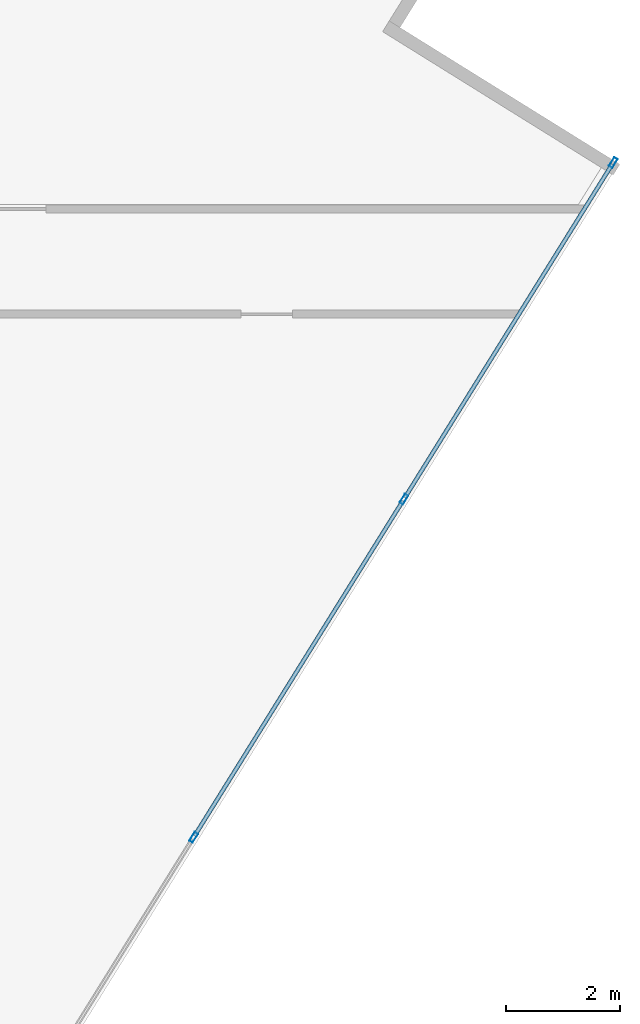
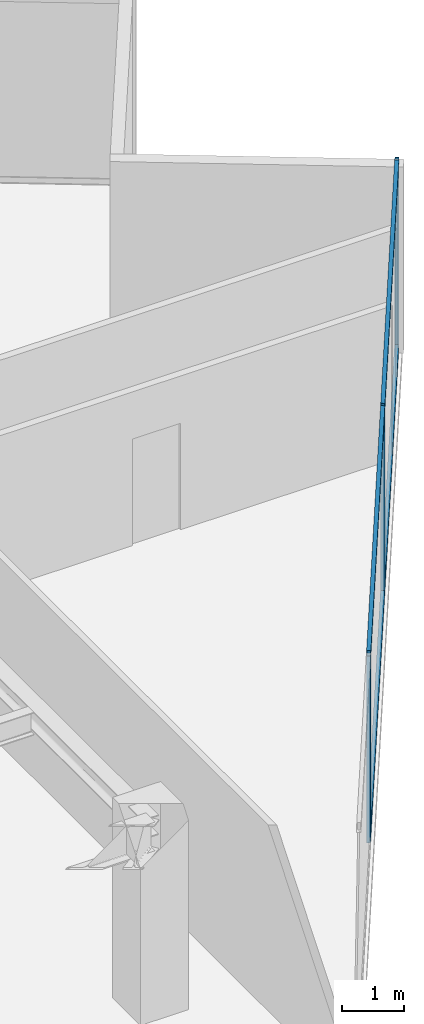
# One storey, part 11 of 26: 7 members, 1 element without a shape of its own.
"""IFC4 building model written with IfcOpenShell, lengths in metres."""

from ifc_helpers import new_model, si_unit, direction, frame, origin, origin_2d, place, context, subcontext, project, spatial, hollow_rectangle, extrude, source, transform, mapped, material, material_profile, profile_set, type_object, type_shapes, element, aggregate, save


model = new_model("IFC4")

# Units and contexts
model_context = context("Model", 3, precision=1e-05, world=origin(), true_north=direction((0.0, 1.0)))
body_context = subcontext(model_context, "Body", "Model", "MODEL_VIEW")
ifc_project = project(units=[si_unit("LENGTHUNIT", "METRE"), si_unit("AREAUNIT", "SQUARE_METRE"), si_unit("VOLUMEUNIT", "CUBIC_METRE"), si_unit("PLANEANGLEUNIT", "RADIAN"), si_unit("MASSUNIT", "GRAM", prefix="KILO")], contexts=[model_context])

# Site, building, storey
site_placement = place(None, origin())
site = spatial("IfcSite", under=ifc_project, at=site_placement, CompositionType="ELEMENT")
building_placement = place(site_placement, origin())
building = spatial("IfcBuilding", under=site, at=building_placement, Name="Krantzveldt Concourse Tower", CompositionType="ELEMENT")
storey_placement = place(building_placement, frame((0.0, 0.0, 173.85009765625)))
storey = spatial("IfcBuildingStorey", under=building, at=storey_placement, Name="L42", CompositionType="ELEMENT", Elevation=173.85009765625)

# Curtain wall, members
ifc_material = material(Name="Anodised aluminium 6063-T6", Category="aluminium")
curtain_wall_type = type_object("IfcCurtainWallType", Name="CW3", PredefinedType="USERDEFINED", material=ifc_material)
curtain_wall_placement = place(storey_placement, origin())
curtain_wall = element("IfcCurtainWall", 1, at=curtain_wall_placement, inside=storey, type_object=curtain_wall_type, Name="CW-L42-F07", ObjectType="UNITISED CURTAIN WALL", PredefinedType="USERDEFINED")
ifc_material_profile_1 = material_profile(ifc_material, hollow_rectangle(XDim=0.070068359375, YDim=0.179931640625, WallThickness=0.0048828125, at=origin_2d()), Name="Anodised aluminium 6063-T6", Category="aluminium")
ifc_profile_set_1 = profile_set([ifc_material_profile_1], Name="Anodised aluminium 6063-T6 - ALU-MULL 180x70x5")
member_type_1 = type_object("IfcMemberType", Name="CW-MUL-180", PredefinedType="MULLION", material=ifc_profile_set_1)
shared_shape_1 = source(origin(), body_context, "Body", "SweptSolid", [
    extrude(hollow_rectangle(XDim=0.070068359375, YDim=0.179931640625, WallThickness=0.0048828125, at=origin_2d()), origin(), (0.0, 0.0, 1.0), 3.669921875),
])
type_shapes(member_type_1, [shared_shape_1])
member_1_placement = place(storey_placement, frame((56.35888671875, 18.13818359375, 0.0), z_axis=(0.0, 0.0, 1.0), x_axis=(-0.84920214961, 0.528067901977, 0.0)))
member_1 = element("IfcMember", 2, at=member_1_placement, type_object=member_type_1, Name="CW-Z34 mullion 4", PredefinedType="MULLION", context=body_context, shape_type="MappedRepresentation", body=[
    mapped(shared_shape_1, transform((0.0, 0.0, 0.0), x_axis=(1.0, 0.0, 0.0), y_axis=(0.0, 1.0, 0.0), z_axis=(0.0, 0.0, 1.0), scale=1.0)),
])
member_2_placement = place(storey_placement, frame((60.0341796875, 24.048583984375, 0.0), z_axis=(0.0, 0.0, 1.0), x_axis=(-0.84920214961, 0.528067901977, 0.0)))
member_2 = element("IfcMember", 3, at=member_2_placement, type_object=member_type_1, Name="CW-Z34 mullion 5", PredefinedType="MULLION", context=body_context, shape_type="MappedRepresentation", body=[
    mapped(shared_shape_1, transform((0.0, 0.0, 0.0), x_axis=(1.0, 0.0, 0.0), y_axis=(0.0, 1.0, 0.0), z_axis=(0.0, 0.0, 1.0), scale=1.0)),
])
member_3_placement = place(storey_placement, frame((63.69091796875, 29.92919921875, 0.0), z_axis=(0.0, 0.0, 1.0), x_axis=(-0.84920214961, 0.528067901977, 0.0)))
member_3 = element("IfcMember", 4, at=member_3_placement, type_object=member_type_1, Name="CW-Z34 mullion 6", PredefinedType="MULLION", context=body_context, shape_type="MappedRepresentation", body=[
    mapped(shared_shape_1, transform((0.0, 0.0, 0.0), x_axis=(1.0, 0.0, 0.0), y_axis=(0.0, 1.0, 0.0), z_axis=(0.0, 0.0, 1.0), scale=1.0)),
])
ifc_material_profile_2 = material_profile(ifc_material, hollow_rectangle(XDim=0.070068359375, YDim=0.139892578125, WallThickness=0.0048828125, at=origin_2d()), Name="Anodised aluminium 6063-T6", Category="aluminium")
ifc_profile_set_2 = profile_set([ifc_material_profile_2], Name="Anodised aluminium 6063-T6 - ALU-TRAN 140x70x5")
member_type_2 = type_object("IfcMemberType", Name="CW-TRN-150", PredefinedType="USERDEFINED", material=ifc_profile_set_2)
shared_shape_2 = source(origin(), body_context, "Body", "SweptSolid", [
    extrude(hollow_rectangle(XDim=0.070068359375, YDim=0.139892578125, WallThickness=0.0048828125, at=origin_2d()), origin(), (0.0, 0.0, 1.0), 6.89013671875),
])
member_4_placement = place(storey_placement, frame((56.377197265625, 18.167724609375, 0.034912109375), z_axis=(0.528067429464, 0.849202443437, 0.0), x_axis=(-0.849202443437, 0.528067429464, 0.0)))
member_4 = element("IfcMember", 5, at=member_4_placement, type_object=member_type_2, Name="CW-Z34 transom 4.1", ObjectType="TRANSOM", PredefinedType="USERDEFINED", context=body_context, shape_type="MappedRepresentation", body=[
    mapped(shared_shape_2, transform((0.0, 0.0, 0.0), x_axis=(1.0, 0.0, 0.0), y_axis=(0.0, 1.0, 0.0), z_axis=(0.0, 0.0, 1.0), scale=1.0)),
])
member_5_placement = place(storey_placement, frame((56.377197265625, 18.167724609375, 3.635009765625), z_axis=(0.528067429464, 0.849202443437, 0.0), x_axis=(-0.849202443437, 0.528067429464, 0.0)))
member_5 = element("IfcMember", 6, at=member_5_placement, type_object=member_type_2, Name="CW-Z34 transom 4.2", ObjectType="TRANSOM", PredefinedType="USERDEFINED", context=body_context, shape_type="MappedRepresentation", body=[
    mapped(shared_shape_2, transform((0.0, 0.0, 0.0), x_axis=(1.0, 0.0, 0.0), y_axis=(0.0, 1.0, 0.0), z_axis=(0.0, 0.0, 1.0), scale=1.0)),
])
shared_shape_3 = source(origin(), body_context, "Body", "SweptSolid", [
    extrude(hollow_rectangle(XDim=0.070068359375, YDim=0.139892578125, WallThickness=0.0048828125, at=origin_2d()), origin(), (0.0, 0.0, 1.0), 6.855224609375),
])
type_shapes(member_type_2, [shared_shape_2, shared_shape_3])
member_6_placement = place(storey_placement, frame((60.052490234375, 24.078125, 0.034912109375), z_axis=(0.528089629534, 0.849188638159, 0.0), x_axis=(-0.849188638159, 0.528089629534, 0.0)))
member_6 = element("IfcMember", 7, at=member_6_placement, type_object=member_type_2, Name="CW-Z34 transom 5.1", ObjectType="TRANSOM", PredefinedType="USERDEFINED", context=body_context, shape_type="MappedRepresentation", body=[
    mapped(shared_shape_3, transform((0.0, 0.0, 0.0), x_axis=(1.0, 0.0, 0.0), y_axis=(0.0, 1.0, 0.0), z_axis=(0.0, 0.0, 1.0), scale=1.0)),
])
member_7_placement = place(storey_placement, frame((60.052490234375, 24.078125, 3.635009765625), z_axis=(0.528089629534, 0.849188638159, 0.0), x_axis=(-0.849188638159, 0.528089629534, 0.0)))
member_7 = element("IfcMember", 8, at=member_7_placement, type_object=member_type_2, Name="CW-Z34 transom 5.2", ObjectType="TRANSOM", PredefinedType="USERDEFINED", context=body_context, shape_type="MappedRepresentation", body=[
    mapped(shared_shape_3, transform((0.0, 0.0, 0.0), x_axis=(1.0, 0.0, 0.0), y_axis=(0.0, 1.0, 0.0), z_axis=(0.0, 0.0, 1.0), scale=1.0)),
])
aggregate(curtain_wall, [member_1, member_2, member_3, member_4, member_5, member_6, member_7])

save(model, "model.ifc")
